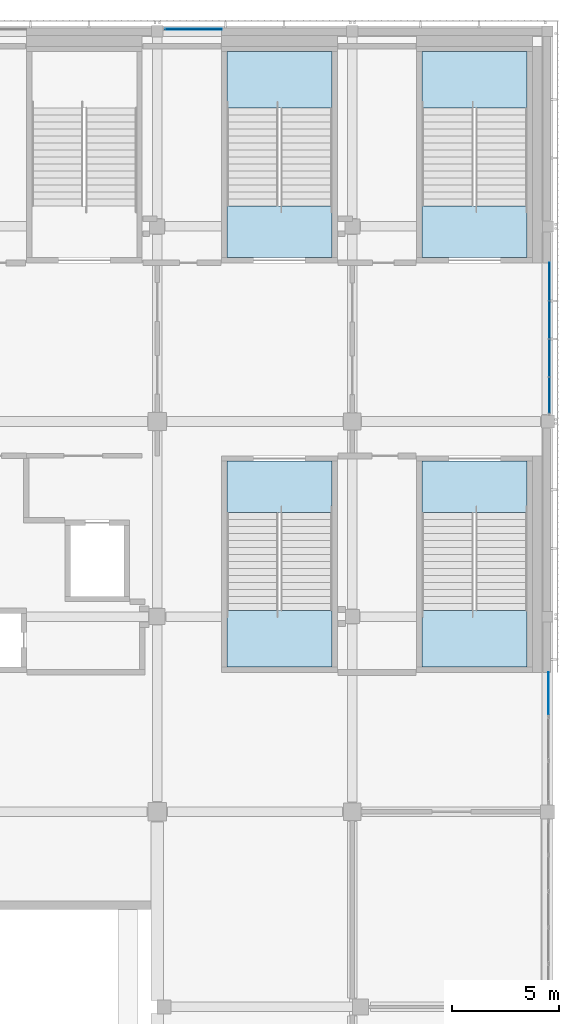
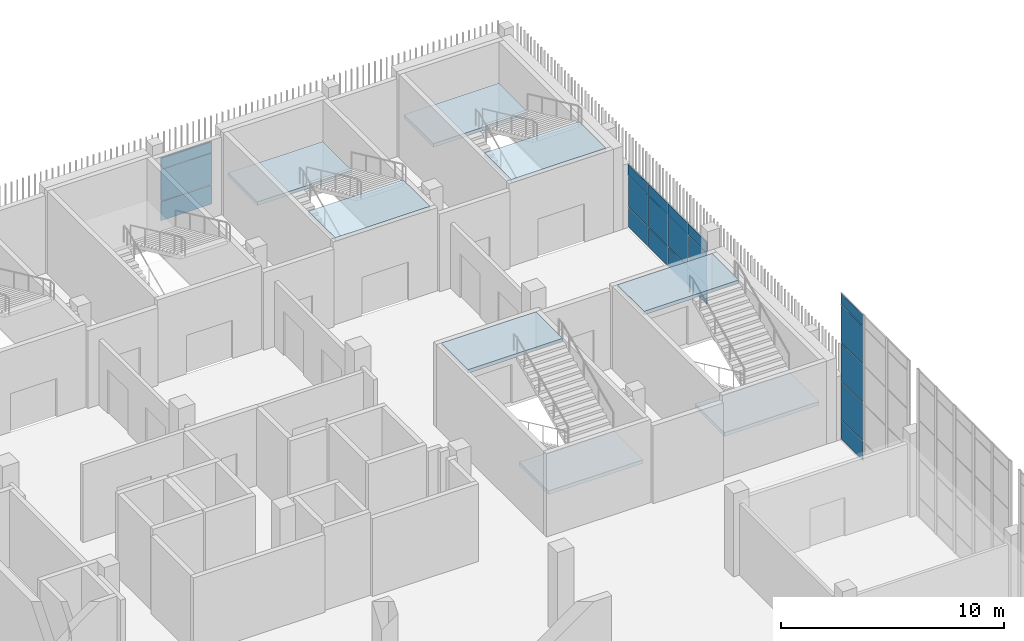
# One storey, part 72 of 126: 20 plates, 8 slabs, 7 elements without a shape of their own.
"""IFC4 building model written with IfcOpenShell, lengths in metres."""

from ifc_helpers import new_model, si_unit, direction, frame, origin, origin_2d, place, context, subcontext, project, spatial, polyline, rectangle, outline, extrude, material, layer, layer_set, type_object, element, aggregate, save


model = new_model("IFC4")

# Units and contexts
model_context = context("Model", 3, precision=1e-05, world=origin(), true_north=direction((0.0, 1.0)))
body_context = subcontext(model_context, "Body", "Model", "MODEL_VIEW")
ifc_project = project(units=[si_unit("LENGTHUNIT", "METRE"), si_unit("AREAUNIT", "SQUARE_METRE"), si_unit("VOLUMEUNIT", "CUBIC_METRE"), si_unit("PLANEANGLEUNIT", "RADIAN"), si_unit("MASSUNIT", "GRAM", prefix="KILO")], contexts=[model_context])

# Site, building, storey
site_placement = place(None, origin())
site = spatial("IfcSite", under=ifc_project, at=site_placement, CompositionType="ELEMENT")
building_placement = place(site_placement, origin())
building = spatial("IfcBuilding", under=site, at=building_placement, Name="Shirokan Park Arena", CompositionType="ELEMENT")
storey_placement = place(building_placement, frame((0.0, 0.0, 6.3701171875)))
storey = spatial("IfcBuildingStorey", under=building, at=storey_placement, Name="L01", CompositionType="ELEMENT", Elevation=6.3701171875)

# Curtain wall, plates
ifc_material_1 = material(Name="Steel and glass curtain wall", Category="steel")
ifc_layer_1 = layer(ifc_material_1, 0.1201171875)
ifc_layer_set_1 = layer_set([ifc_layer_1], Name="Steel and glass curtain wall 120 mm")
curtain_wall_type_1 = type_object("IfcCurtainWallType", Name="Curtain wall corner block side bay 120", PredefinedType="NOTDEFINED", material=ifc_layer_set_1)
curtain_wall_1_placement = place(storey_placement, origin())
curtain_wall_1 = element("IfcCurtainWall", 1, at=curtain_wall_1_placement, inside=storey, type_object=curtain_wall_type_1, Name="Curtain wall east bay 11 L01", PredefinedType="NOTDEFINED")
ifc_material_2 = material(Name="Aluminium sheet", Category="aluminium")
ifc_layer_2 = layer(ifc_material_2, 0.0029296875, Name="Aluminium sheet")
ifc_material_3 = material(Name="Mineral wool insulation")
ifc_layer_3 = layer(ifc_material_3, 0.053955078125, Name="Mineral wool insulation")
ifc_layer_4 = layer(ifc_material_2, 0.0029296875, Name="Aluminium sheet")
ifc_layer_set_2 = layer_set([ifc_layer_2, ifc_layer_3, ifc_layer_4], Name="Aluminium sheet + Mineral wool insulation")
plate_type_1 = type_object("IfcPlateType", Name="Insulated spandrel panel 60", PredefinedType="CURTAIN_PANEL", material=ifc_layer_set_2)
plate_1_placement = place(storey_placement, frame((145.68994140625, 92.22509765625, 2.86962890625), z_axis=(0.0, 0.0, 1.0), x_axis=(0.0, 1.0, 0.0)))
plate_1 = element("IfcPlate", 2, at=plate_1_placement, type_object=plate_type_1, Name="CW3 panel 1.3", PredefinedType="CURTAIN_PANEL", context=body_context, shape_type="SweptSolid", body=[
    extrude(rectangle(XDim=1.64990234375, YDim=0.06005859375, at=origin_2d()), origin(), (0.0, 0.0, 1.0), 0.590087890625),
])
plate_2_placement = place(storey_placement, frame((145.68994140625, 93.96240234375, 2.86962890625), z_axis=(0.0, 0.0, 1.0), x_axis=(0.0, 1.0, 0.0)))
plate_2 = element("IfcPlate", 3, at=plate_2_placement, type_object=plate_type_1, Name="CW3 panel 2.3", PredefinedType="CURTAIN_PANEL", context=body_context, shape_type="SweptSolid", body=[
    extrude(rectangle(XDim=1.72509765625, YDim=0.06005859375, at=origin_2d()), origin(), (0.0, 0.0, 1.0), 0.590087890625),
])
plate_3_placement = place(storey_placement, frame((145.68994140625, 95.737548828125, 2.86962890625), z_axis=(0.0, 0.0, 1.0), x_axis=(0.0, 1.0, 0.0)))
plate_3 = element("IfcPlate", 4, at=plate_3_placement, type_object=plate_type_1, Name="CW3 panel 3.3", PredefinedType="CURTAIN_PANEL", context=body_context, shape_type="SweptSolid", body=[
    extrude(rectangle(XDim=1.72509765625, YDim=0.06005859375, at=origin_2d()), origin(), (0.0, 0.0, 1.0), 0.590087890625),
])
plate_4_placement = place(storey_placement, frame((145.68994140625, 97.52490234375, 2.86962890625), z_axis=(0.0, 0.0, 1.0), x_axis=(0.0, 1.0, 0.0)))
plate_4 = element("IfcPlate", 5, at=plate_4_placement, type_object=plate_type_1, Name="CW3 panel 4.3", PredefinedType="CURTAIN_PANEL", context=body_context, shape_type="SweptSolid", body=[
    extrude(rectangle(XDim=1.75, YDim=0.06005859375, at=origin_2d()), origin(), (0.0, 0.0, 1.0), 0.590087890625),
])

# Curtain wall, plate
curtain_wall_2_placement = place(storey_placement, origin())
curtain_wall_2 = element("IfcCurtainWall", 6, at=curtain_wall_2_placement, inside=storey, type_object=curtain_wall_type_1, Name="Curtain wall north bay 2 L01", PredefinedType="NOTDEFINED")
plate_5_placement = place(storey_placement, frame((129.08740234375, 109.2900390625, 2.86962890625), z_axis=(0.0, 0.0, 1.0), x_axis=(-1.0, 0.0, 0.0)))
plate_5 = element("IfcPlate", 7, at=plate_5_placement, type_object=plate_type_1, Name="CW3 panel 1.3", PredefinedType="CURTAIN_PANEL", context=body_context, shape_type="SweptSolid", body=[
    extrude(rectangle(XDim=2.625, YDim=0.06005859375, at=origin_2d()), origin(), (0.0, 0.0, 1.0), 0.590087890625),
])

# Curtain wall, plates
ifc_layer_5 = layer(ifc_material_1, 0.199951171875)
ifc_layer_set_3 = layer_set([ifc_layer_5], Name="Steel and glass curtain wall 200 mm")
curtain_wall_type_2 = type_object("IfcCurtainWallType", Name="Curtain wall hall bay 200", PredefinedType="NOTDEFINED", material=ifc_layer_set_3)
curtain_wall_3_placement = place(storey_placement, origin())
curtain_wall_3 = element("IfcCurtainWall", 8, at=curtain_wall_3_placement, inside=storey, type_object=curtain_wall_type_2, Name="Curtain wall east bay 9 L01", PredefinedType="NOTDEFINED")
ifc_material_4 = material(Name="Toughened glass", Category="glass")
ifc_layer_6 = layer(ifc_material_4, 0.012939453125, Name="Toughened glass")
ifc_material_5 = material(Name="Interlayer film")
ifc_layer_7 = layer(ifc_material_5, 0.001953125, Name="Interlayer film")
ifc_layer_8 = layer(ifc_material_4, 0.012939453125, Name="Toughened glass")
ifc_layer_set_4 = layer_set([ifc_layer_6, ifc_layer_7, ifc_layer_8], Name="Toughened glass + Interlayer film")
plate_type_2 = type_object("IfcPlateType", Name="Laminated glass panel 28", PredefinedType="CURTAIN_PANEL", material=ifc_layer_set_4)
plate_6_placement = place(storey_placement, frame((145.64990234375, 78.32080078125, 1.119873046875), z_axis=(0.0, 0.0, 1.0), x_axis=(0.0, 1.0, 0.0)))
plate_6 = element("IfcPlate", 9, at=plate_6_placement, type_object=plate_type_2, Name="CW5 panel 3.2", PredefinedType="CURTAIN_PANEL", context=body_context, shape_type="SweptSolid", body=[
    extrude(rectangle(XDim=1.958251953125, YDim=0.028076171875, at=origin_2d()), origin(), (0.0, 0.0, 1.0), 2.06005859375),
])
plate_7_placement = place(storey_placement, frame((145.64990234375, 78.32080078125, 3.219970703125), z_axis=(0.0, 0.0, 1.0), x_axis=(0.0, 1.0, 0.0)))
plate_7 = element("IfcPlate", 10, at=plate_7_placement, type_object=plate_type_2, Name="CW5 panel 3.3", PredefinedType="CURTAIN_PANEL", context=body_context, shape_type="SweptSolid", body=[
    extrude(rectangle(XDim=1.958251953125, YDim=0.028076171875, at=origin_2d()), origin(), (0.0, 0.0, 1.0), 2.06005859375),
])
plate_8_placement = place(storey_placement, frame((145.64990234375, 78.32080078125, 5.31982421875), z_axis=(0.0, 0.0, 1.0), x_axis=(0.0, 1.0, 0.0)))
plate_8 = element("IfcPlate", 11, at=plate_8_placement, type_object=plate_type_2, Name="CW5 panel 3.4", PredefinedType="CURTAIN_PANEL", context=body_context, shape_type="SweptSolid", body=[
    extrude(rectangle(XDim=1.958251953125, YDim=0.028076171875, at=origin_2d()), origin(), (0.0, 0.0, 1.0), 2.06005859375),
])
plate_9_placement = place(storey_placement, frame((145.64990234375, 78.32080078125, 7.419921875), z_axis=(0.0, 0.0, 1.0), x_axis=(0.0, 1.0, 0.0)))
plate_9 = element("IfcPlate", 12, at=plate_9_placement, type_object=plate_type_2, Name="CW5 panel 3.5", PredefinedType="CURTAIN_PANEL", context=body_context, shape_type="SweptSolid", body=[
    extrude(rectangle(XDim=1.958251953125, YDim=0.028076171875, at=origin_2d()), origin(), (0.0, 0.0, 1.0), 0.590087890625),
])

# Plate
plate_10_placement = place(storey_placement, frame((145.68994140625, 92.22509765625, 1.119873046875), z_axis=(0.0, 0.0, 1.0), x_axis=(0.0, 1.0, 0.0)))
plate_10 = element("IfcPlate", 13, at=plate_10_placement, type_object=plate_type_2, Name="CW3 panel 1.2", PredefinedType="CURTAIN_PANEL", context=body_context, shape_type="SweptSolid", body=[
    extrude(rectangle(XDim=1.64990234375, YDim=0.028076171875, at=origin_2d()), origin(), (0.0, 0.0, 1.0), 1.7099609375),
])

plate_11_placement = place(storey_placement, frame((145.68994140625, 93.96240234375, 1.119873046875), z_axis=(0.0, 0.0, 1.0), x_axis=(0.0, 1.0, 0.0)))
plate_11 = element("IfcPlate", 14, at=plate_11_placement, type_object=plate_type_2, Name="CW3 panel 2.2", PredefinedType="CURTAIN_PANEL", context=body_context, shape_type="SweptSolid", body=[
    extrude(rectangle(XDim=1.72509765625, YDim=0.028076171875, at=origin_2d()), origin(), (0.0, 0.0, 1.0), 1.7099609375),
])

plate_12_placement = place(storey_placement, frame((145.68994140625, 95.737548828125, 1.119873046875), z_axis=(0.0, 0.0, 1.0), x_axis=(0.0, 1.0, 0.0)))
plate_12 = element("IfcPlate", 15, at=plate_12_placement, type_object=plate_type_2, Name="CW3 panel 3.2", PredefinedType="CURTAIN_PANEL", context=body_context, shape_type="SweptSolid", body=[
    extrude(rectangle(XDim=1.72509765625, YDim=0.028076171875, at=origin_2d()), origin(), (0.0, 0.0, 1.0), 1.7099609375),
])

plate_13_placement = place(storey_placement, frame((145.68994140625, 97.52490234375, 1.119873046875), z_axis=(0.0, 0.0, 1.0), x_axis=(0.0, 1.0, 0.0)))
plate_13 = element("IfcPlate", 16, at=plate_13_placement, type_object=plate_type_2, Name="CW3 panel 4.2", PredefinedType="CURTAIN_PANEL", context=body_context, shape_type="SweptSolid", body=[
    extrude(rectangle(XDim=1.75, YDim=0.028076171875, at=origin_2d()), origin(), (0.0, 0.0, 1.0), 1.7099609375),
])

plate_14_placement = place(storey_placement, frame((129.08740234375, 109.2900390625, 1.119873046875), z_axis=(0.0, 0.0, 1.0), x_axis=(-1.0, 0.0, 0.0)))
plate_14 = element("IfcPlate", 17, at=plate_14_placement, type_object=plate_type_2, Name="CW3 panel 1.2", PredefinedType="CURTAIN_PANEL", context=body_context, shape_type="SweptSolid", body=[
    extrude(rectangle(XDim=2.625, YDim=0.028076171875, at=origin_2d()), origin(), (0.0, 0.0, 1.0), 1.7099609375),
])

ifc_layer_9 = layer(ifc_material_4, 0.01708984375, Name="Toughened glass")
ifc_layer_10 = layer(ifc_material_5, 0.001953125, Name="Interlayer film")
ifc_layer_11 = layer(ifc_material_4, 0.01708984375, Name="Toughened glass")
ifc_layer_set_5 = layer_set([ifc_layer_9, ifc_layer_10, ifc_layer_11], Name="Toughened glass + Interlayer film")
plate_type_3 = type_object("IfcPlateType", Name="Laminated safety glass panel 36", PredefinedType="CURTAIN_PANEL", material=ifc_layer_set_5)
plate_15_placement = place(storey_placement, frame((145.64990234375, 78.32080078125, 0.039794921875), z_axis=(0.0, 0.0, 1.0), x_axis=(0.0, 1.0, 0.0)))
plate_15 = element("IfcPlate", 18, at=plate_15_placement, type_object=plate_type_3, Name="CW5 panel 3.1", PredefinedType="CURTAIN_PANEL", context=body_context, shape_type="SweptSolid", body=[
    extrude(rectangle(XDim=1.958251953125, YDim=0.035888671875, at=origin_2d()), origin(), (0.0, 0.0, 1.0), 1.0400390625),
])

aggregate(curtain_wall_3, [plate_15, plate_6, plate_7, plate_8, plate_9])

plate_16_placement = place(storey_placement, frame((145.68994140625, 92.22509765625, 0.039794921875), z_axis=(0.0, 0.0, 1.0), x_axis=(0.0, 1.0, 0.0)))
plate_16 = element("IfcPlate", 19, at=plate_16_placement, type_object=plate_type_3, Name="CW3 panel 1.1", PredefinedType="CURTAIN_PANEL", context=body_context, shape_type="SweptSolid", body=[
    extrude(rectangle(XDim=1.64990234375, YDim=0.035888671875, at=origin_2d()), origin(), (0.0, 0.0, 1.0), 1.0400390625),
])

plate_17_placement = place(storey_placement, frame((145.68994140625, 93.96240234375, 0.039794921875), z_axis=(0.0, 0.0, 1.0), x_axis=(0.0, 1.0, 0.0)))
plate_17 = element("IfcPlate", 20, at=plate_17_placement, type_object=plate_type_3, Name="CW3 panel 2.1", PredefinedType="CURTAIN_PANEL", context=body_context, shape_type="SweptSolid", body=[
    extrude(rectangle(XDim=1.72509765625, YDim=0.035888671875, at=origin_2d()), origin(), (0.0, 0.0, 1.0), 1.0400390625),
])

plate_18_placement = place(storey_placement, frame((145.68994140625, 95.737548828125, 0.039794921875), z_axis=(0.0, 0.0, 1.0), x_axis=(0.0, 1.0, 0.0)))
plate_18 = element("IfcPlate", 21, at=plate_18_placement, type_object=plate_type_3, Name="CW3 panel 3.1", PredefinedType="CURTAIN_PANEL", context=body_context, shape_type="SweptSolid", body=[
    extrude(rectangle(XDim=1.72509765625, YDim=0.035888671875, at=origin_2d()), origin(), (0.0, 0.0, 1.0), 1.0400390625),
])

plate_19_placement = place(storey_placement, frame((145.68994140625, 97.52490234375, 0.039794921875), z_axis=(0.0, 0.0, 1.0), x_axis=(0.0, 1.0, 0.0)))
plate_19 = element("IfcPlate", 22, at=plate_19_placement, type_object=plate_type_3, Name="CW3 panel 4.1", PredefinedType="CURTAIN_PANEL", context=body_context, shape_type="SweptSolid", body=[
    extrude(rectangle(XDim=1.75, YDim=0.035888671875, at=origin_2d()), origin(), (0.0, 0.0, 1.0), 1.0400390625),
])

aggregate(curtain_wall_1, [plate_16, plate_10, plate_1, plate_17, plate_11, plate_2, plate_18, plate_12, plate_3, plate_19, plate_13, plate_4])

plate_20_placement = place(storey_placement, frame((129.08740234375, 109.2900390625, 0.039794921875), z_axis=(0.0, 0.0, 1.0), x_axis=(-1.0, 0.0, 0.0)))
plate_20 = element("IfcPlate", 23, at=plate_20_placement, type_object=plate_type_3, Name="CW3 panel 1.1", PredefinedType="CURTAIN_PANEL", context=body_context, shape_type="SweptSolid", body=[
    extrude(rectangle(XDim=2.625, YDim=0.035888671875, at=origin_2d()), origin(), (0.0, 0.0, 1.0), 1.0400390625),
])

aggregate(curtain_wall_2, [plate_20, plate_14, plate_5])

# Stair, slabs
ifc_material_6 = material(Name="Concrete C30 precast", Category="concrete")
stair_type = type_object("IfcStairType", Name="Stair 30 risers 152 x 327 2400 wide", PredefinedType="TWO_STRAIGHT_RUN_STAIR", material=ifc_material_6)
stair_1_placement = place(storey_placement, origin())
stair_1 = element("IfcStair", 24, at=stair_1_placement, inside=storey, type_object=stair_type, Name="Exit Stair 3.A L01 to L02", PredefinedType="TWO_STRAIGHT_RUN_STAIR")
ifc_layer_12 = layer(ifc_material_6, 0.199951171875)
ifc_layer_set_6 = layer_set([ifc_layer_12], Name="Concrete C30 precast 200 mm")
slab_type = type_object("IfcSlabType", Name="Stair landing 200", PredefinedType="LANDING", material=ifc_layer_set_6)
slab_1_placement = place(storey_placement, frame((0.0, 0.0, 2.074951171875)))
slab_1 = element("IfcSlab", 25, at=slab_1_placement, type_object=slab_type, Name="ST16.2 landing 1", PredefinedType="LANDING", context=body_context, shape_type="SweptSolid", body=[
    extrude(outline(polyline([(139.75, 105.623779296875), (144.64990234375, 105.623779296875), (144.64990234375, 108.25), (139.75, 108.25), (139.75, 105.623779296875)])), origin(), (0.0, 0.0, 1.0), 0.199951171875),
])
slab_2_placement = place(storey_placement, frame((0.0, 0.0, 4.349853515625)))
slab_2 = element("IfcSlab", 26, at=slab_2_placement, type_object=slab_type, Name="ST16.2 landing 2", PredefinedType="LANDING", context=body_context, shape_type="SweptSolid", body=[
    extrude(outline(polyline([(139.75, 98.64990234375), (144.64990234375, 98.64990234375), (144.64990234375, 101.050048828125), (139.75, 101.050048828125), (139.75, 98.64990234375)])), origin(), (0.0, 0.0, 1.0), 0.199951171875),
])
aggregate(stair_1, [slab_1, slab_2])

stair_2_placement = place(storey_placement, origin())
stair_2 = element("IfcStair", 27, at=stair_2_placement, inside=storey, type_object=stair_type, Name="Exit Stair 3.B L01 to L02", PredefinedType="TWO_STRAIGHT_RUN_STAIR")
slab_3_placement = place(storey_placement, frame((0.0, 0.0, 2.074951171875)))
slab_3 = element("IfcSlab", 28, at=slab_3_placement, type_object=slab_type, Name="ST17.2 landing 1", PredefinedType="LANDING", context=body_context, shape_type="SweptSolid", body=[
    extrude(outline(polyline([(130.64990234375, 105.623779296875), (135.550048828125, 105.623779296875), (135.550048828125, 108.25), (130.64990234375, 108.25), (130.64990234375, 105.623779296875)])), origin(), (0.0, 0.0, 1.0), 0.199951171875),
])
slab_4_placement = place(storey_placement, frame((0.0, 0.0, 4.349853515625)))
slab_4 = element("IfcSlab", 29, at=slab_4_placement, type_object=slab_type, Name="ST17.2 landing 2", PredefinedType="LANDING", context=body_context, shape_type="SweptSolid", body=[
    extrude(outline(polyline([(130.64990234375, 98.64990234375), (135.550048828125, 98.64990234375), (135.550048828125, 101.050048828125), (130.64990234375, 101.050048828125), (130.64990234375, 98.64990234375)])), origin(), (0.0, 0.0, 1.0), 0.199951171875),
])
aggregate(stair_2, [slab_3, slab_4])

stair_3_placement = place(storey_placement, origin())
stair_3 = element("IfcStair", 30, at=stair_3_placement, inside=storey, type_object=stair_type, Name="Exit Stair 3.E L01 to L02", PredefinedType="TWO_STRAIGHT_RUN_STAIR")
slab_5_placement = place(storey_placement, frame((0.0, 0.0, 2.074951171875)))
slab_5 = element("IfcSlab", 31, at=slab_5_placement, type_object=slab_type, Name="ST20.2 landing 1", PredefinedType="LANDING", context=body_context, shape_type="SweptSolid", body=[
    extrude(outline(polyline([(139.75, 79.550048828125), (144.64990234375, 79.550048828125), (144.64990234375, 82.17626953125), (139.75, 82.17626953125), (139.75, 79.550048828125)])), origin(), (0.0, 0.0, 1.0), 0.199951171875),
])
slab_6_placement = place(storey_placement, frame((0.0, 0.0, 4.349853515625)))
slab_6 = element("IfcSlab", 32, at=slab_6_placement, type_object=slab_type, Name="ST20.2 landing 2", PredefinedType="LANDING", context=body_context, shape_type="SweptSolid", body=[
    extrude(outline(polyline([(139.75, 86.75), (144.64990234375, 86.75), (144.64990234375, 89.14990234375), (139.75, 89.14990234375), (139.75, 86.75)])), origin(), (0.0, 0.0, 1.0), 0.199951171875),
])
aggregate(stair_3, [slab_5, slab_6])

stair_4_placement = place(storey_placement, origin())
stair_4 = element("IfcStair", 33, at=stair_4_placement, inside=storey, type_object=stair_type, Name="Exit Stair 3.F L01 to L02", PredefinedType="TWO_STRAIGHT_RUN_STAIR")
slab_7_placement = place(storey_placement, frame((0.0, 0.0, 2.074951171875)))
slab_7 = element("IfcSlab", 34, at=slab_7_placement, type_object=slab_type, Name="ST21.2 landing 1", PredefinedType="LANDING", context=body_context, shape_type="SweptSolid", body=[
    extrude(outline(polyline([(130.64990234375, 79.550048828125), (135.550048828125, 79.550048828125), (135.550048828125, 82.17626953125), (130.64990234375, 82.17626953125), (130.64990234375, 79.550048828125)])), origin(), (0.0, 0.0, 1.0), 0.199951171875),
])
slab_8_placement = place(storey_placement, frame((0.0, 0.0, 4.349853515625)))
slab_8 = element("IfcSlab", 35, at=slab_8_placement, type_object=slab_type, Name="ST21.2 landing 2", PredefinedType="LANDING", context=body_context, shape_type="SweptSolid", body=[
    extrude(outline(polyline([(130.64990234375, 86.75), (135.550048828125, 86.75), (135.550048828125, 89.14990234375), (130.64990234375, 89.14990234375), (130.64990234375, 86.75)])), origin(), (0.0, 0.0, 1.0), 0.199951171875),
])
aggregate(stair_4, [slab_7, slab_8])

save(model, "model.ifc")
